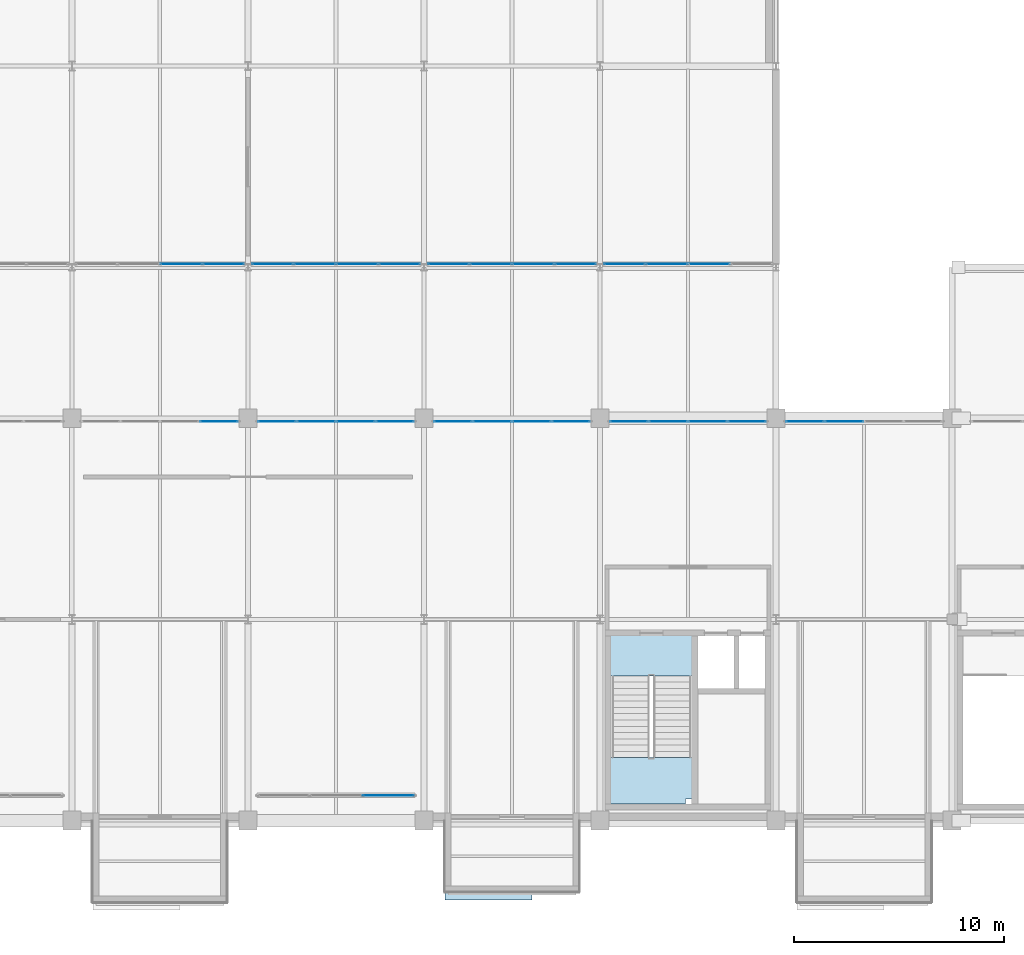
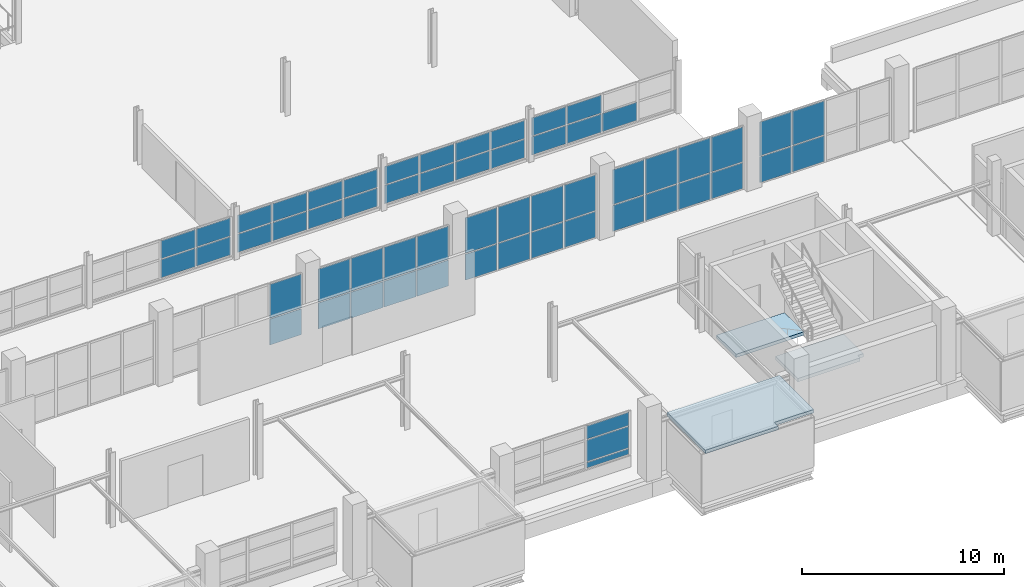
# One storey, part 86 of 103: 58 plates, 3 slabs, 11 elements without a shape of their own.
"""IFC4 building model written with IfcOpenShell, lengths in metres."""

import ifcopenshell
import ifcopenshell.guid

model = None  # the IFC model being written
_history = None  # IfcOwnerHistory: only IFC2X3 demands one
_inside = {}  # id of a spatial element -> (the spatial element, [elements in it])
_under = {}  # id of a project, library or spatial element -> (it, [spatial elements below it])
_declared = {}  # id of a project -> (the project, [libraries it declares])
_typed = {}  # id of a type object -> (the type object, [elements of that type])
_made_of = {}  # id of a material, layer set ... -> (it, [elements and type objects made of it])


def new_model(schema):
    """Start an empty IFC model of exactly this schema.

    Asked for "IFC4X3", IfcOpenShell would pick the latest addendum, in which some entities
    have other attributes; the version numbers below select the first issue.
    IFC2X3 requires an IfcOwnerHistory on every rooted entity: one is made here for all.
    """
    global model, _history
    if schema == "IFC4X3":
        model = ifcopenshell.file(schema_version=(4, 3, 0, 0))
    else:
        model = ifcopenshell.file(schema=schema)
    _inside.clear()
    _under.clear()
    _declared.clear()
    _typed.clear()
    _made_of.clear()
    _history = None
    if model.schema == "IFC2X3":
        org = make("IfcOrganization", Name="unknown")
        user = make(
            "IfcPersonAndOrganization",
            ThePerson=make("IfcPerson", FamilyName="unknown"),
            TheOrganization=org,
        )
        app = make(
            "IfcApplication",
            ApplicationDeveloper=org,
            Version="unknown",
            ApplicationFullName="unknown",
            ApplicationIdentifier="unknown",
        )
        _history = make(
            "IfcOwnerHistory",
            OwningUser=user,
            OwningApplication=app,
            ChangeAction="ADDED",
            CreationDate=0,
        )
    return model


def make(cls, **values):
    """One entity of the class cls with the attributes given. An attribute that is None is left unset."""
    return model.create_entity(
        cls, **{name: value for name, value in values.items() if value is not None}
    )


def rooted(cls, **values):
    """An entity with a GlobalId (a new one), such as an element, a storey or a relation."""
    return make(cls, GlobalId=ifcopenshell.guid.new(), OwnerHistory=_history, **values)


def si_unit(unit_type, name, prefix=None):
    """IfcSIUnit, for example si_unit("LENGTHUNIT", "METRE", prefix="MILLI")."""
    return make("IfcSIUnit", UnitType=unit_type, Prefix=prefix, Name=name)


def assignment(units):
    """IfcUnitAssignment: the units of a project."""
    return None if units is None else make("IfcUnitAssignment", Units=units)


def point(xyz):
    """IfcCartesianPoint."""
    return None if xyz is None else make("IfcCartesianPoint", Coordinates=xyz)


def direction(xyz):
    """IfcDirection."""
    return None if xyz is None else make("IfcDirection", DirectionRatios=xyz)


def frame(location, z_axis=None, x_axis=None):
    """IfcAxis2Placement3D, a coordinate frame: its origin and axes. An axis left out is left unset."""
    return make(
        "IfcAxis2Placement3D",
        Location=point(location),
        Axis=direction(z_axis),
        RefDirection=direction(x_axis),
    )


def frame_2d(location, x_axis=None):
    """IfcAxis2Placement2D, a coordinate frame in the plane: its origin and x axis."""
    return make(
        "IfcAxis2Placement2D", Location=point(location), RefDirection=direction(x_axis)
    )


def origin():
    """The frame at (0, 0, 0) with its axes left unset."""
    return frame((0.0, 0.0, 0.0))


def origin_2d():
    """The frame at (0, 0) in the plane with its x axis left unset."""
    return frame_2d((0.0, 0.0))


def place(relative_to, where):
    """IfcLocalPlacement: puts the frame where relative to a parent placement (None: the world)."""
    return make(
        "IfcLocalPlacement", PlacementRelTo=relative_to, RelativePlacement=where
    )


def context(
    kind, dimensions, precision=None, world=None, true_north=None, identifier=None
):
    """IfcGeometricRepresentationContext, for example the 3D "Model" context."""
    return make(
        "IfcGeometricRepresentationContext",
        ContextIdentifier=identifier,
        ContextType=kind,
        CoordinateSpaceDimension=dimensions,
        Precision=precision,
        WorldCoordinateSystem=world,
        TrueNorth=true_north,
    )


def subcontext(parent, identifier, kind, view, scale=None):
    """IfcGeometricRepresentationSubContext, for example "Body" below "Model"."""
    return make(
        "IfcGeometricRepresentationSubContext",
        ContextIdentifier=identifier,
        ContextType=kind,
        ParentContext=parent,
        TargetScale=scale,
        TargetView=view,
    )


def project(units=None, contexts=None):
    """IfcProject with its units and contexts."""
    return rooted(
        "IfcProject",
        Name="project",
        RepresentationContexts=contexts,
        UnitsInContext=assignment(units),
    )


def spatial(cls, under=None, at=None, **own):
    """A site, building, storey or space (cls), placed at a placement, below another one or the project."""
    s = rooted(cls, ObjectPlacement=at, **own)
    if under is not None:
        _under.setdefault(under.id(), (under, []))[1].append(s)
    return s


def polyline(points):
    """IfcPolyline through the points."""
    return make("IfcPolyline", Points=[point(p) for p in points])


def profile(cls, at=None, kind="AREA", **sizes):
    """A parametric profile (cls). Its sizes go by their IFC names, for example OverallWidth=200.0."""
    return make(cls, ProfileType=kind, Position=at, **sizes)


def rectangle(**sizes):
    """IfcRectangleProfileDef."""
    return profile("IfcRectangleProfileDef", **sizes)


def outline(outer, holes=None, kind="AREA"):
    """IfcArbitraryClosedProfileDef: a profile drawn as a closed curve; with holes, ...WithVoids."""
    if holes is None:
        return make("IfcArbitraryClosedProfileDef", ProfileType=kind, OuterCurve=outer)
    return make(
        "IfcArbitraryProfileDefWithVoids",
        ProfileType=kind,
        OuterCurve=outer,
        InnerCurves=holes,
    )


def extrude(swept, where, along, depth):
    """IfcExtrudedAreaSolid: the profile swept, set in the frame where, extruded along a direction by depth."""
    return make(
        "IfcExtrudedAreaSolid",
        SweptArea=swept,
        Position=where,
        ExtrudedDirection=direction(along),
        Depth=depth,
    )


def shape(context_of_items, identifier, shape_type, items):
    """IfcShapeRepresentation: the items that make up one representation, for example the "Body"."""
    return make(
        "IfcShapeRepresentation",
        ContextOfItems=context_of_items,
        RepresentationIdentifier=identifier,
        RepresentationType=shape_type,
        Items=items,
    )


def material(Name=None, Category=None):
    """IfcMaterial."""
    return make("IfcMaterial", Name=Name, Category=Category)


def layer(
    of_material, thickness, ventilated=None, Name=None, Category=None, Priority=None
):
    """IfcMaterialLayer: one layer of a wall or slab, of a material (None: an air gap)."""
    return make(
        "IfcMaterialLayer",
        Material=of_material,
        LayerThickness=thickness,
        IsVentilated=ventilated,
        Name=Name,
        Category=Category,
        Priority=Priority,
    )


def layer_set(layers, Name=None):
    """IfcMaterialLayerSet."""
    return make("IfcMaterialLayerSet", MaterialLayers=layers, LayerSetName=Name)


def made_of(thing, what):
    """Note that an element or type object is made of a material, layer set ...; save() writes the relation."""
    if what is not None:
        _made_of.setdefault(what.id(), (what, []))[1].append(thing)
    return thing


def type_object(cls, material=None, **own):
    """A type object (cls), such as IfcWallType, which elements share."""
    return made_of(rooted(cls, **own), material)


def element(
    cls,
    number,
    at=None,
    inside=None,
    cuts=None,
    type_object=None,
    material=None,
    context=None,
    identifier="Body",
    shape_type=None,
    held_by="IfcProductDefinitionShape",
    body=None,
    shapes=None,
    **own,
):
    """One element of the class cls, such as IfcWall. Its Tag is "e" and its number.

    at: its placement. inside: the storey or other place that contains it. cuts: it is an
    opening in that element (IfcRelVoidsElement). A single representation is given by context,
    identifier, shape_type and body (its items); several are given by shapes. held_by: the class
    of the entity that holds the representations. save() writes the other relations.
    """
    e = rooted(cls, Tag="e%d" % number, ObjectPlacement=at, **own)
    if body is not None:
        shapes = [shape(context, identifier, shape_type, body)]
    if shapes is not None:
        e.Representation = make(held_by, Representations=shapes)
    if inside is not None:
        _inside.setdefault(inside.id(), (inside, []))[1].append(e)
    if cuts is not None:
        rooted(
            "IfcRelVoidsElement", RelatingBuildingElement=cuts, RelatedOpeningElement=e
        )
    if type_object is not None:
        _typed.setdefault(type_object.id(), (type_object, []))[1].append(e)
    return made_of(e, material)


def aggregate(whole, parts):
    """IfcRelAggregates: a whole, such as a stair, and the parts it consists of."""
    return rooted("IfcRelAggregates", RelatingObject=whole, RelatedObjects=parts)


def save(model, path):
    """Write the relations noted so far, then the file.

    IfcRelAggregates (storeys below a building ...), IfcRelContainedInSpatialStructure (elements
    in a storey), IfcRelDefinesByType, IfcRelAssociatesMaterial and IfcRelDeclares: one each for
    every whole, place, type object, material and project.
    """
    for whole, parts in _under.values():
        aggregate(whole, parts)
    for where, things in _inside.values():
        rooted(
            "IfcRelContainedInSpatialStructure",
            RelatedElements=things,
            RelatingStructure=where,
        )
    for kind, things in _typed.values():
        rooted("IfcRelDefinesByType", RelatedObjects=things, RelatingType=kind)
    for what, things in _made_of.values():
        rooted("IfcRelAssociatesMaterial", RelatedObjects=things, RelatingMaterial=what)
    for by, libraries in _declared.values():
        rooted("IfcRelDeclares", RelatingContext=by, RelatedDefinitions=libraries)
    model.write(path)


model = new_model("IFC4")

# Units and contexts
model_context = context("Model", 3, precision=1e-05, world=origin(), true_north=direction((0.0, 1.0)))
body_context = subcontext(model_context, "Body", "Model", "MODEL_VIEW")
ifc_project = project(units=[si_unit("LENGTHUNIT", "METRE"), si_unit("AREAUNIT", "SQUARE_METRE"), si_unit("VOLUMEUNIT", "CUBIC_METRE"), si_unit("PLANEANGLEUNIT", "RADIAN"), si_unit("MASSUNIT", "GRAM", prefix="KILO")], contexts=[model_context])

# Site, building, storey
site_placement = place(None, origin())
site = spatial("IfcSite", under=ifc_project, at=site_placement, CompositionType="ELEMENT")
building_placement = place(site_placement, origin())
building = spatial("IfcBuilding", under=site, at=building_placement, Name="Veltarok Museum of Natural Sciences", CompositionType="ELEMENT")
storey_placement = place(building_placement, frame((0.0, 0.0, 21.89990234375)))
storey = spatial("IfcBuildingStorey", under=building, at=storey_placement, Name="L04", CompositionType="ELEMENT", Elevation=21.89990234375)

# Slabs
ifc_material_1 = material(Name="Concrete C35/45", Category="concrete")
ifc_layer_1 = layer(ifc_material_1, 0.199951171875)
ifc_layer_set_1 = layer_set([ifc_layer_1], Name="Concrete C35/45")
slab_type_1 = type_object("IfcSlabType", Name="Cantilevered Cabinet Box Roof Slab 200", PredefinedType="ROOF", material=ifc_layer_set_1)
slab_1_placement = place(storey_placement, frame((0.0, 0.0, 3.25)))
element("IfcSlab", 1, at=slab_1_placement, inside=storey, type_object=slab_type_1, Name="Cabinet Box Roof Slab DB-22", PredefinedType="ROOF", context=body_context, shape_type="SweptSolid", body=[
    extrude(outline(polyline([(83.0, -3.780029296875), (87.159912109375, -3.780029296875), (87.159912109375, -3.39990234375), (89.39990234375, -3.39990234375), (89.39990234375, 0.0), (83.0, 0.0), (83.0, -3.780029296875)])), origin(), (0.0, 0.0, 1.0), 0.2001953125),
])
ifc_layer_2 = layer(ifc_material_1, 0.199951171875)
ifc_layer_set_2 = layer_set([ifc_layer_2], Name="Concrete C35/45")
slab_type_2 = type_object("IfcSlabType", Name="Protected Stair Intermediate Landing Slab 200", PredefinedType="LANDING", material=ifc_layer_set_2)
slab_2_placement = place(storey_placement, frame((0.0, 0.0, -0.199951171875)))
element("IfcSlab", 2, at=slab_2_placement, inside=storey, type_object=slab_type_2, Name="Stairwell Floor Landing ST-02 L04", PredefinedType="LANDING", context=body_context, shape_type="SweptSolid", body=[
    extrude(outline(polyline([(90.909912109375, 6.89990234375), (94.7900390625, 6.89990234375), (94.7900390625, 8.820068359375), (90.909912109375, 8.820068359375), (90.909912109375, 6.89990234375)])), origin(), (0.0, 0.0, 1.0), 0.199951171875),
])

# Stair, slab
ifc_material_2 = material(Name="Precast concrete C40/50", Category="concrete")
stair_type = type_object("IfcStairType", Name="Protected Half-Turn Escape Stair H4500", PredefinedType="HALF_TURN_STAIR", material=ifc_material_2)
stair_placement = place(storey_placement, origin())
stair = element("IfcStair", 3, at=stair_placement, inside=storey, type_object=stair_type, Name="Protected Escape Stair ST-02-L04", PredefinedType="HALF_TURN_STAIR")
slab_3_placement = place(storey_placement, frame((0.0, 0.0, 2.050048828125)))
slab_3 = element("IfcSlab", 4, at=slab_3_placement, type_object=slab_type_2, Name="ST-02-L04 landing 1", PredefinedType="LANDING", context=body_context, shape_type="SweptSolid", body=[
    extrude(outline(polyline([(90.909912109375, 0.780029296875), (94.469970703125, 0.780029296875), (94.469970703125, 1.02001953125), (94.7900390625, 1.02001953125), (94.7900390625, 3.0), (90.909912109375, 3.0), (90.909912109375, 0.780029296875)])), origin(), (0.0, 0.0, 1.0), 0.199951171875),
])
aggregate(stair, [slab_3])

# Curtain wall, plates
ifc_material_3 = material(Name="Low-iron triple insulated glass", Category="glass")
curtain_wall_type_1 = type_object("IfcCurtainWallType", Name="Curtain Wall System CW-CAB-L04-B-755x266 (V1 Recessed L04 755x266cm)", PredefinedType="NOTDEFINED", material=ifc_material_3)
curtain_wall_1_placement = place(storey_placement, origin())
curtain_wall_1 = element("IfcCurtainWall", 5, at=curtain_wall_1_placement, inside=storey, type_object=curtain_wall_type_1, Name="Curtain Wall CW-CAB-L04-B-755x266 CW-0008", PredefinedType="NOTDEFINED")
ifc_layer_3 = layer(ifc_material_3, 0.028076171875)
ifc_layer_set_3 = layer_set([ifc_layer_3], Name="Low-iron triple insulated glass")
plate_type = type_object("IfcPlateType", Name="Triple Low-Iron Glazed Vision Panel 28", PredefinedType="CURTAIN_PANEL", material=ifc_layer_set_3)
plate_1_placement = place(storey_placement, frame((80.3017578125, 1.199951171875, 0.739990234375), z_axis=(0.0, 0.0, 1.0), x_axis=(1.0, 0.0, 0.0)))
plate_1 = element("IfcPlate", 6, at=plate_1_placement, type_object=plate_type, Name="CW-CAB-L04-B-755x266 panel 3.1", PredefinedType="CURTAIN_PANEL", context=body_context, shape_type="SweptSolid", body=[
    extrude(rectangle(XDim=2.4267578125, YDim=0.028076171875, at=origin_2d()), origin(), (0.0, 0.0, 1.0), 0.330078125),
])
plate_2_placement = place(storey_placement, frame((80.3017578125, 1.199951171875, 1.130126953125), z_axis=(0.0, 0.0, 1.0), x_axis=(1.0, 0.0, 0.0)))
plate_2 = element("IfcPlate", 7, at=plate_2_placement, type_object=plate_type, Name="CW-CAB-L04-B-755x266 panel 3.2", PredefinedType="CURTAIN_PANEL", context=body_context, shape_type="SweptSolid", body=[
    extrude(rectangle(XDim=2.4267578125, YDim=0.028076171875, at=origin_2d()), origin(), (0.0, 0.0, 1.0), 1.2900390625),
])
plate_3_placement = place(storey_placement, frame((80.3017578125, 1.199951171875, 2.480224609375), z_axis=(0.0, 0.0, 1.0), x_axis=(1.0, 0.0, 0.0)))
plate_3 = element("IfcPlate", 8, at=plate_3_placement, type_object=plate_type, Name="CW-CAB-L04-B-755x266 panel 3.3", PredefinedType="CURTAIN_PANEL", context=body_context, shape_type="SweptSolid", body=[
    extrude(rectangle(XDim=2.4267578125, YDim=0.028076171875, at=origin_2d()), origin(), (0.0, 0.0, 1.0), 0.794921875),
])
aggregate(curtain_wall_1, [plate_1, plate_2, plate_3])

curtain_wall_type_2 = type_object("IfcCurtainWallType", Name="Curtain Wall System CW-V1CN4-L04-2-755x378 (CW-V1CN4 L04 755x378cm)", PredefinedType="NOTDEFINED", material=ifc_material_3)
curtain_wall_2_placement = place(storey_placement, origin())
curtain_wall_2 = element("IfcCurtainWall", 9, at=curtain_wall_2_placement, inside=storey, type_object=curtain_wall_type_2, Name="Curtain Wall CW-V1CN4-L04-2-755x378 CW-0166", PredefinedType="NOTDEFINED")
plate_4_placement = place(storey_placement, frame((72.21630859375, 19.050048828125, 0.05810546875), z_axis=(0.0, 0.0, 1.0), x_axis=(-1.0, 0.0, 0.0)))
plate_4 = element("IfcPlate", 10, at=plate_4_placement, type_object=plate_type, Name="CW-V1CN4-L04-2-755x378 panel 1.1", PredefinedType="CURTAIN_PANEL", context=body_context, shape_type="SweptSolid", body=[
    extrude(rectangle(XDim=1.797607421875, YDim=0.028076171875, at=origin_2d()), origin(), (0.0, 0.0, 1.0), 1.56005859375),
])
plate_5_placement = place(storey_placement, frame((72.21630859375, 19.050048828125, 1.67822265625), z_axis=(0.0, 0.0, 1.0), x_axis=(-1.0, 0.0, 0.0)))
plate_5 = element("IfcPlate", 11, at=plate_5_placement, type_object=plate_type, Name="CW-V1CN4-L04-2-755x378 panel 1.2", PredefinedType="CURTAIN_PANEL", context=body_context, shape_type="SweptSolid", body=[
    extrude(rectangle(XDim=1.797607421875, YDim=0.028076171875, at=origin_2d()), origin(), (0.0, 0.0, 1.0), 2.0419921875),
])
aggregate(curtain_wall_2, [plate_4, plate_5])

curtain_wall_type_3 = type_object("IfcCurtainWallType", Name="Curtain Wall System CW-V1CN4-L04-3-755x373 (CW-V1CN4 L04 755x373cm)", PredefinedType="NOTDEFINED", material=ifc_material_3)
curtain_wall_3_placement = place(storey_placement, origin())
curtain_wall_3 = element("IfcCurtainWall", 12, at=curtain_wall_3_placement, inside=storey, type_object=curtain_wall_type_3, Name="Curtain Wall CW-V1CN4-L04-3-755x373 CW-0167", PredefinedType="NOTDEFINED")
plate_6_placement = place(storey_placement, frame((80.6162109375, 19.050048828125, 0.05810546875), z_axis=(0.0, 0.0, 1.0), x_axis=(-1.0, 0.0, 0.0)))
plate_6 = element("IfcPlate", 13, at=plate_6_placement, type_object=plate_type, Name="CW-V1CN4-L04-3-755x373 panel 1.1", PredefinedType="CURTAIN_PANEL", context=body_context, shape_type="SweptSolid", body=[
    extrude(rectangle(XDim=1.797607421875, YDim=0.028076171875, at=origin_2d()), origin(), (0.0, 0.0, 1.0), 1.56005859375),
])
plate_7_placement = place(storey_placement, frame((80.6162109375, 19.050048828125, 1.67822265625), z_axis=(0.0, 0.0, 1.0), x_axis=(-1.0, 0.0, 0.0)))
plate_7 = element("IfcPlate", 14, at=plate_7_placement, type_object=plate_type, Name="CW-V1CN4-L04-3-755x373 panel 1.2", PredefinedType="CURTAIN_PANEL", context=body_context, shape_type="SweptSolid", body=[
    extrude(rectangle(XDim=1.797607421875, YDim=0.028076171875, at=origin_2d()), origin(), (0.0, 0.0, 1.0), 1.991943359375),
])
plate_8_placement = place(storey_placement, frame((78.74365234375, 19.050048828125, 0.05810546875), z_axis=(0.0, 0.0, 1.0), x_axis=(-1.0, 0.0, 0.0)))
plate_8 = element("IfcPlate", 15, at=plate_8_placement, type_object=plate_type, Name="CW-V1CN4-L04-3-755x373 panel 2.1", PredefinedType="CURTAIN_PANEL", context=body_context, shape_type="SweptSolid", body=[
    extrude(rectangle(XDim=1.827392578125, YDim=0.028076171875, at=origin_2d()), origin(), (0.0, 0.0, 1.0), 1.56005859375),
])
plate_9_placement = place(storey_placement, frame((78.74365234375, 19.050048828125, 1.67822265625), z_axis=(0.0, 0.0, 1.0), x_axis=(-1.0, 0.0, 0.0)))
plate_9 = element("IfcPlate", 16, at=plate_9_placement, type_object=plate_type, Name="CW-V1CN4-L04-3-755x373 panel 2.2", PredefinedType="CURTAIN_PANEL", context=body_context, shape_type="SweptSolid", body=[
    extrude(rectangle(XDim=1.827392578125, YDim=0.028076171875, at=origin_2d()), origin(), (0.0, 0.0, 1.0), 1.991943359375),
])
plate_10_placement = place(storey_placement, frame((76.856201171875, 19.050048828125, 0.05810546875), z_axis=(0.0, 0.0, 1.0), x_axis=(-1.0, 0.0, 0.0)))
plate_10 = element("IfcPlate", 17, at=plate_10_placement, type_object=plate_type, Name="CW-V1CN4-L04-3-755x373 panel 3.1", PredefinedType="CURTAIN_PANEL", context=body_context, shape_type="SweptSolid", body=[
    extrude(rectangle(XDim=1.827392578125, YDim=0.028076171875, at=origin_2d()), origin(), (0.0, 0.0, 1.0), 1.56005859375),
])
plate_11_placement = place(storey_placement, frame((76.856201171875, 19.050048828125, 1.67822265625), z_axis=(0.0, 0.0, 1.0), x_axis=(-1.0, 0.0, 0.0)))
plate_11 = element("IfcPlate", 18, at=plate_11_placement, type_object=plate_type, Name="CW-V1CN4-L04-3-755x373 panel 3.2", PredefinedType="CURTAIN_PANEL", context=body_context, shape_type="SweptSolid", body=[
    extrude(rectangle(XDim=1.827392578125, YDim=0.028076171875, at=origin_2d()), origin(), (0.0, 0.0, 1.0), 1.991943359375),
])
plate_12_placement = place(storey_placement, frame((74.983642578125, 19.050048828125, 0.05810546875), z_axis=(0.0, 0.0, 1.0), x_axis=(-1.0, 0.0, 0.0)))
plate_12 = element("IfcPlate", 19, at=plate_12_placement, type_object=plate_type, Name="CW-V1CN4-L04-3-755x373 panel 4.1", PredefinedType="CURTAIN_PANEL", context=body_context, shape_type="SweptSolid", body=[
    extrude(rectangle(XDim=1.797607421875, YDim=0.028076171875, at=origin_2d()), origin(), (0.0, 0.0, 1.0), 1.56005859375),
])
plate_13_placement = place(storey_placement, frame((74.983642578125, 19.050048828125, 1.67822265625), z_axis=(0.0, 0.0, 1.0), x_axis=(-1.0, 0.0, 0.0)))
plate_13 = element("IfcPlate", 20, at=plate_13_placement, type_object=plate_type, Name="CW-V1CN4-L04-3-755x373 panel 4.2", PredefinedType="CURTAIN_PANEL", context=body_context, shape_type="SweptSolid", body=[
    extrude(rectangle(XDim=1.797607421875, YDim=0.028076171875, at=origin_2d()), origin(), (0.0, 0.0, 1.0), 1.991943359375),
])
aggregate(curtain_wall_3, [plate_6, plate_7, plate_8, plate_9, plate_10, plate_11, plate_12, plate_13])

curtain_wall_type_4 = type_object("IfcCurtainWallType", Name="Curtain Wall System CW-V1CN4-L04-0-755x388 (CW-V1CN4 L04 755x388cm)", PredefinedType="NOTDEFINED", material=ifc_material_3)
curtain_wall_4_placement = place(storey_placement, origin())
curtain_wall_4 = element("IfcCurtainWall", 21, at=curtain_wall_4_placement, inside=storey, type_object=curtain_wall_type_4, Name="Curtain Wall CW-V1CN4-L04-0-755x388 CW-0168", PredefinedType="NOTDEFINED")
plate_14_placement = place(storey_placement, frame((89.016357421875, 19.050048828125, 0.05810546875), z_axis=(0.0, 0.0, 1.0), x_axis=(-1.0, 0.0, 0.0)))
plate_14 = element("IfcPlate", 22, at=plate_14_placement, type_object=plate_type, Name="CW-V1CN4-L04-0-755x388 panel 1.1", PredefinedType="CURTAIN_PANEL", context=body_context, shape_type="SweptSolid", body=[
    extrude(rectangle(XDim=1.797607421875, YDim=0.028076171875, at=origin_2d()), origin(), (0.0, 0.0, 1.0), 1.56005859375),
])
plate_15_placement = place(storey_placement, frame((89.016357421875, 19.050048828125, 1.677978515625), z_axis=(0.0, 0.0, 1.0), x_axis=(-1.0, 0.0, 0.0)))
plate_15 = element("IfcPlate", 23, at=plate_15_placement, type_object=plate_type, Name="CW-V1CN4-L04-0-755x388 panel 1.2", PredefinedType="CURTAIN_PANEL", context=body_context, shape_type="SweptSolid", body=[
    extrude(rectangle(XDim=1.797607421875, YDim=0.028076171875, at=origin_2d()), origin(), (0.0, 0.0, 1.0), 2.14208984375),
])
plate_16_placement = place(storey_placement, frame((87.143798828125, 19.050048828125, 0.05810546875), z_axis=(0.0, 0.0, 1.0), x_axis=(-1.0, 0.0, 0.0)))
plate_16 = element("IfcPlate", 24, at=plate_16_placement, type_object=plate_type, Name="CW-V1CN4-L04-0-755x388 panel 2.1", PredefinedType="CURTAIN_PANEL", context=body_context, shape_type="SweptSolid", body=[
    extrude(rectangle(XDim=1.827392578125, YDim=0.028076171875, at=origin_2d()), origin(), (0.0, 0.0, 1.0), 1.56005859375),
])
plate_17_placement = place(storey_placement, frame((87.143798828125, 19.050048828125, 1.677978515625), z_axis=(0.0, 0.0, 1.0), x_axis=(-1.0, 0.0, 0.0)))
plate_17 = element("IfcPlate", 25, at=plate_17_placement, type_object=plate_type, Name="CW-V1CN4-L04-0-755x388 panel 2.2", PredefinedType="CURTAIN_PANEL", context=body_context, shape_type="SweptSolid", body=[
    extrude(rectangle(XDim=1.827392578125, YDim=0.028076171875, at=origin_2d()), origin(), (0.0, 0.0, 1.0), 2.14208984375),
])
plate_18_placement = place(storey_placement, frame((85.25634765625, 19.050048828125, 0.05810546875), z_axis=(0.0, 0.0, 1.0), x_axis=(-1.0, 0.0, 0.0)))
plate_18 = element("IfcPlate", 26, at=plate_18_placement, type_object=plate_type, Name="CW-V1CN4-L04-0-755x388 panel 3.1", PredefinedType="CURTAIN_PANEL", context=body_context, shape_type="SweptSolid", body=[
    extrude(rectangle(XDim=1.827392578125, YDim=0.028076171875, at=origin_2d()), origin(), (0.0, 0.0, 1.0), 1.56005859375),
])
plate_19_placement = place(storey_placement, frame((85.25634765625, 19.050048828125, 1.677978515625), z_axis=(0.0, 0.0, 1.0), x_axis=(-1.0, 0.0, 0.0)))
plate_19 = element("IfcPlate", 27, at=plate_19_placement, type_object=plate_type, Name="CW-V1CN4-L04-0-755x388 panel 3.2", PredefinedType="CURTAIN_PANEL", context=body_context, shape_type="SweptSolid", body=[
    extrude(rectangle(XDim=1.827392578125, YDim=0.028076171875, at=origin_2d()), origin(), (0.0, 0.0, 1.0), 2.14208984375),
])
plate_20_placement = place(storey_placement, frame((83.3837890625, 19.050048828125, 0.05810546875), z_axis=(0.0, 0.0, 1.0), x_axis=(-1.0, 0.0, 0.0)))
plate_20 = element("IfcPlate", 28, at=plate_20_placement, type_object=plate_type, Name="CW-V1CN4-L04-0-755x388 panel 4.1", PredefinedType="CURTAIN_PANEL", context=body_context, shape_type="SweptSolid", body=[
    extrude(rectangle(XDim=1.797607421875, YDim=0.028076171875, at=origin_2d()), origin(), (0.0, 0.0, 1.0), 1.56005859375),
])
plate_21_placement = place(storey_placement, frame((83.3837890625, 19.050048828125, 1.677978515625), z_axis=(0.0, 0.0, 1.0), x_axis=(-1.0, 0.0, 0.0)))
plate_21 = element("IfcPlate", 29, at=plate_21_placement, type_object=plate_type, Name="CW-V1CN4-L04-0-755x388 panel 4.2", PredefinedType="CURTAIN_PANEL", context=body_context, shape_type="SweptSolid", body=[
    extrude(rectangle(XDim=1.797607421875, YDim=0.028076171875, at=origin_2d()), origin(), (0.0, 0.0, 1.0), 2.14208984375),
])
aggregate(curtain_wall_4, [plate_14, plate_15, plate_16, plate_17, plate_18, plate_19, plate_20, plate_21])

curtain_wall_type_5 = type_object("IfcCurtainWallType", Name="Curtain Wall System CW-V1CN4-L04-1-755x383 (CW-V1CN4 L04 755x383cm)", PredefinedType="NOTDEFINED", material=ifc_material_3)
curtain_wall_5_placement = place(storey_placement, origin())
curtain_wall_5 = element("IfcCurtainWall", 30, at=curtain_wall_5_placement, inside=storey, type_object=curtain_wall_type_5, Name="Curtain Wall CW-V1CN4-L04-1-755x383 CW-0169", PredefinedType="NOTDEFINED")
plate_22_placement = place(storey_placement, frame((97.416259765625, 19.050048828125, 0.05810546875), z_axis=(0.0, 0.0, 1.0), x_axis=(-1.0, 0.0, 0.0)))
plate_22 = element("IfcPlate", 31, at=plate_22_placement, type_object=plate_type, Name="CW-V1CN4-L04-1-755x383 panel 1.1", PredefinedType="CURTAIN_PANEL", context=body_context, shape_type="SweptSolid", body=[
    extrude(rectangle(XDim=1.797607421875, YDim=0.028076171875, at=origin_2d()), origin(), (0.0, 0.0, 1.0), 1.56005859375),
])
plate_23_placement = place(storey_placement, frame((97.416259765625, 19.050048828125, 1.67822265625), z_axis=(0.0, 0.0, 1.0), x_axis=(-1.0, 0.0, 0.0)))
plate_23 = element("IfcPlate", 32, at=plate_23_placement, type_object=plate_type, Name="CW-V1CN4-L04-1-755x383 panel 1.2", PredefinedType="CURTAIN_PANEL", context=body_context, shape_type="SweptSolid", body=[
    extrude(rectangle(XDim=1.797607421875, YDim=0.028076171875, at=origin_2d()), origin(), (0.0, 0.0, 1.0), 2.092041015625),
])
plate_24_placement = place(storey_placement, frame((95.543701171875, 19.050048828125, 0.05810546875), z_axis=(0.0, 0.0, 1.0), x_axis=(-1.0, 0.0, 0.0)))
plate_24 = element("IfcPlate", 33, at=plate_24_placement, type_object=plate_type, Name="CW-V1CN4-L04-1-755x383 panel 2.1", PredefinedType="CURTAIN_PANEL", context=body_context, shape_type="SweptSolid", body=[
    extrude(rectangle(XDim=1.827392578125, YDim=0.028076171875, at=origin_2d()), origin(), (0.0, 0.0, 1.0), 1.56005859375),
])
plate_25_placement = place(storey_placement, frame((95.543701171875, 19.050048828125, 1.67822265625), z_axis=(0.0, 0.0, 1.0), x_axis=(-1.0, 0.0, 0.0)))
plate_25 = element("IfcPlate", 34, at=plate_25_placement, type_object=plate_type, Name="CW-V1CN4-L04-1-755x383 panel 2.2", PredefinedType="CURTAIN_PANEL", context=body_context, shape_type="SweptSolid", body=[
    extrude(rectangle(XDim=1.827392578125, YDim=0.028076171875, at=origin_2d()), origin(), (0.0, 0.0, 1.0), 2.092041015625),
])
plate_26_placement = place(storey_placement, frame((93.65625, 19.050048828125, 0.05810546875), z_axis=(0.0, 0.0, 1.0), x_axis=(-1.0, 0.0, 0.0)))
plate_26 = element("IfcPlate", 35, at=plate_26_placement, type_object=plate_type, Name="CW-V1CN4-L04-1-755x383 panel 3.1", PredefinedType="CURTAIN_PANEL", context=body_context, shape_type="SweptSolid", body=[
    extrude(rectangle(XDim=1.827392578125, YDim=0.028076171875, at=origin_2d()), origin(), (0.0, 0.0, 1.0), 1.56005859375),
])
plate_27_placement = place(storey_placement, frame((93.65625, 19.050048828125, 1.67822265625), z_axis=(0.0, 0.0, 1.0), x_axis=(-1.0, 0.0, 0.0)))
plate_27 = element("IfcPlate", 36, at=plate_27_placement, type_object=plate_type, Name="CW-V1CN4-L04-1-755x383 panel 3.2", PredefinedType="CURTAIN_PANEL", context=body_context, shape_type="SweptSolid", body=[
    extrude(rectangle(XDim=1.827392578125, YDim=0.028076171875, at=origin_2d()), origin(), (0.0, 0.0, 1.0), 2.092041015625),
])
plate_28_placement = place(storey_placement, frame((91.78369140625, 19.050048828125, 0.05810546875), z_axis=(0.0, 0.0, 1.0), x_axis=(-1.0, 0.0, 0.0)))
plate_28 = element("IfcPlate", 37, at=plate_28_placement, type_object=plate_type, Name="CW-V1CN4-L04-1-755x383 panel 4.1", PredefinedType="CURTAIN_PANEL", context=body_context, shape_type="SweptSolid", body=[
    extrude(rectangle(XDim=1.797607421875, YDim=0.028076171875, at=origin_2d()), origin(), (0.0, 0.0, 1.0), 1.56005859375),
])
plate_29_placement = place(storey_placement, frame((91.78369140625, 19.050048828125, 1.67822265625), z_axis=(0.0, 0.0, 1.0), x_axis=(-1.0, 0.0, 0.0)))
plate_29 = element("IfcPlate", 38, at=plate_29_placement, type_object=plate_type, Name="CW-V1CN4-L04-1-755x383 panel 4.2", PredefinedType="CURTAIN_PANEL", context=body_context, shape_type="SweptSolid", body=[
    extrude(rectangle(XDim=1.797607421875, YDim=0.028076171875, at=origin_2d()), origin(), (0.0, 0.0, 1.0), 2.092041015625),
])
aggregate(curtain_wall_5, [plate_22, plate_23, plate_24, plate_25, plate_26, plate_27, plate_28, plate_29])

curtain_wall_6_placement = place(storey_placement, origin())
curtain_wall_6 = element("IfcCurtainWall", 39, at=curtain_wall_6_placement, inside=storey, type_object=curtain_wall_type_2, Name="Curtain Wall CW-V1CN4-L04-2-755x378 CW-0170", PredefinedType="NOTDEFINED")
plate_30_placement = place(storey_placement, frame((102.05615234375, 19.050048828125, 0.05810546875), z_axis=(0.0, 0.0, 1.0), x_axis=(-1.0, 0.0, 0.0)))
plate_30 = element("IfcPlate", 40, at=plate_30_placement, type_object=plate_type, Name="CW-V1CN4-L04-2-755x378 panel 3.1", PredefinedType="CURTAIN_PANEL", context=body_context, shape_type="SweptSolid", body=[
    extrude(rectangle(XDim=1.827392578125, YDim=0.028076171875, at=origin_2d()), origin(), (0.0, 0.0, 1.0), 1.56005859375),
])
plate_31_placement = place(storey_placement, frame((102.05615234375, 19.050048828125, 1.67822265625), z_axis=(0.0, 0.0, 1.0), x_axis=(-1.0, 0.0, 0.0)))
plate_31 = element("IfcPlate", 41, at=plate_31_placement, type_object=plate_type, Name="CW-V1CN4-L04-2-755x378 panel 3.2", PredefinedType="CURTAIN_PANEL", context=body_context, shape_type="SweptSolid", body=[
    extrude(rectangle(XDim=1.827392578125, YDim=0.028076171875, at=origin_2d()), origin(), (0.0, 0.0, 1.0), 2.0419921875),
])
plate_32_placement = place(storey_placement, frame((100.183837890625, 19.050048828125, 0.05810546875), z_axis=(0.0, 0.0, 1.0), x_axis=(-1.0, 0.0, 0.0)))
plate_32 = element("IfcPlate", 42, at=plate_32_placement, type_object=plate_type, Name="CW-V1CN4-L04-2-755x378 panel 4.1", PredefinedType="CURTAIN_PANEL", context=body_context, shape_type="SweptSolid", body=[
    extrude(rectangle(XDim=1.797607421875, YDim=0.028076171875, at=origin_2d()), origin(), (0.0, 0.0, 1.0), 1.56005859375),
])
plate_33_placement = place(storey_placement, frame((100.183837890625, 19.050048828125, 1.67822265625), z_axis=(0.0, 0.0, 1.0), x_axis=(-1.0, 0.0, 0.0)))
plate_33 = element("IfcPlate", 43, at=plate_33_placement, type_object=plate_type, Name="CW-V1CN4-L04-2-755x378 panel 4.2", PredefinedType="CURTAIN_PANEL", context=body_context, shape_type="SweptSolid", body=[
    extrude(rectangle(XDim=1.797607421875, YDim=0.028076171875, at=origin_2d()), origin(), (0.0, 0.0, 1.0), 2.0419921875),
])
aggregate(curtain_wall_6, [plate_30, plate_31, plate_32, plate_33])

curtain_wall_type_6 = type_object("IfcCurtainWallType", Name="Curtain Wall System CW-V2S-L04-810x236 (V2 South Setback L04 810x236cm)", PredefinedType="NOTDEFINED", material=ifc_material_3)
curtain_wall_7_placement = place(storey_placement, origin())
curtain_wall_7 = element("IfcCurtainWall", 44, at=curtain_wall_7_placement, inside=storey, type_object=curtain_wall_type_6, Name="Curtain Wall CW-V2S-L04-810x236 CW-0226", PredefinedType="NOTDEFINED")
plate_34_placement = place(storey_placement, frame((70.41259765625, 26.550048828125, 0.219970703125), z_axis=(0.0, 0.0, 1.0), x_axis=(1.0, 0.0, 0.0)))
plate_34 = element("IfcPlate", 45, at=plate_34_placement, type_object=plate_type, Name="CW-V2S-L04-810x236 panel 3.1", PredefinedType="CURTAIN_PANEL", context=body_context, shape_type="SweptSolid", body=[
    extrude(rectangle(XDim=1.965087890625, YDim=0.028076171875, at=origin_2d()), origin(), (0.0, 0.0, 1.0), 1.10009765625),
])
plate_35_placement = place(storey_placement, frame((70.41259765625, 26.550048828125, 1.380126953125), z_axis=(0.0, 0.0, 1.0), x_axis=(1.0, 0.0, 0.0)))
plate_35 = element("IfcPlate", 46, at=plate_35_placement, type_object=plate_type, Name="CW-V2S-L04-810x236 panel 3.2", PredefinedType="CURTAIN_PANEL", context=body_context, shape_type="SweptSolid", body=[
    extrude(rectangle(XDim=1.965087890625, YDim=0.028076171875, at=origin_2d()), origin(), (0.0, 0.0, 1.0), 1.080078125),
])
plate_36_placement = place(storey_placement, frame((72.422607421875, 26.550048828125, 0.219970703125), z_axis=(0.0, 0.0, 1.0), x_axis=(1.0, 0.0, 0.0)))
plate_36 = element("IfcPlate", 47, at=plate_36_placement, type_object=plate_type, Name="CW-V2S-L04-810x236 panel 4.1", PredefinedType="CURTAIN_PANEL", context=body_context, shape_type="SweptSolid", body=[
    extrude(rectangle(XDim=1.93505859375, YDim=0.028076171875, at=origin_2d()), origin(), (0.0, 0.0, 1.0), 1.10009765625),
])
plate_37_placement = place(storey_placement, frame((72.422607421875, 26.550048828125, 1.380126953125), z_axis=(0.0, 0.0, 1.0), x_axis=(1.0, 0.0, 0.0)))
plate_37 = element("IfcPlate", 48, at=plate_37_placement, type_object=plate_type, Name="CW-V2S-L04-810x236 panel 4.2", PredefinedType="CURTAIN_PANEL", context=body_context, shape_type="SweptSolid", body=[
    extrude(rectangle(XDim=1.93505859375, YDim=0.028076171875, at=origin_2d()), origin(), (0.0, 0.0, 1.0), 1.080078125),
])
aggregate(curtain_wall_7, [plate_34, plate_35, plate_36, plate_37])

curtain_wall_8_placement = place(storey_placement, origin())
curtain_wall_8 = element("IfcCurtainWall", 49, at=curtain_wall_8_placement, inside=storey, type_object=curtain_wall_type_6, Name="Curtain Wall CW-V2S-L04-810x236 CW-0227", PredefinedType="NOTDEFINED")
plate_38_placement = place(storey_placement, frame((74.777587890625, 26.550048828125, 0.219970703125), z_axis=(0.0, 0.0, 1.0), x_axis=(1.0, 0.0, 0.0)))
plate_38 = element("IfcPlate", 50, at=plate_38_placement, type_object=plate_type, Name="CW-V2S-L04-810x236 panel 1.1", PredefinedType="CURTAIN_PANEL", context=body_context, shape_type="SweptSolid", body=[
    extrude(rectangle(XDim=1.93505859375, YDim=0.028076171875, at=origin_2d()), origin(), (0.0, 0.0, 1.0), 1.10009765625),
])
plate_39_placement = place(storey_placement, frame((74.777587890625, 26.550048828125, 1.380126953125), z_axis=(0.0, 0.0, 1.0), x_axis=(1.0, 0.0, 0.0)))
plate_39 = element("IfcPlate", 51, at=plate_39_placement, type_object=plate_type, Name="CW-V2S-L04-810x236 panel 1.2", PredefinedType="CURTAIN_PANEL", context=body_context, shape_type="SweptSolid", body=[
    extrude(rectangle(XDim=1.93505859375, YDim=0.028076171875, at=origin_2d()), origin(), (0.0, 0.0, 1.0), 1.080078125),
])
plate_40_placement = place(storey_placement, frame((76.78759765625, 26.550048828125, 0.219970703125), z_axis=(0.0, 0.0, 1.0), x_axis=(1.0, 0.0, 0.0)))
plate_40 = element("IfcPlate", 52, at=plate_40_placement, type_object=plate_type, Name="CW-V2S-L04-810x236 panel 2.1", PredefinedType="CURTAIN_PANEL", context=body_context, shape_type="SweptSolid", body=[
    extrude(rectangle(XDim=1.965087890625, YDim=0.028076171875, at=origin_2d()), origin(), (0.0, 0.0, 1.0), 1.10009765625),
])
plate_41_placement = place(storey_placement, frame((76.78759765625, 26.550048828125, 1.380126953125), z_axis=(0.0, 0.0, 1.0), x_axis=(1.0, 0.0, 0.0)))
plate_41 = element("IfcPlate", 53, at=plate_41_placement, type_object=plate_type, Name="CW-V2S-L04-810x236 panel 2.2", PredefinedType="CURTAIN_PANEL", context=body_context, shape_type="SweptSolid", body=[
    extrude(rectangle(XDim=1.965087890625, YDim=0.028076171875, at=origin_2d()), origin(), (0.0, 0.0, 1.0), 1.080078125),
])
plate_42_placement = place(storey_placement, frame((78.8125, 26.550048828125, 0.219970703125), z_axis=(0.0, 0.0, 1.0), x_axis=(1.0, 0.0, 0.0)))
plate_42 = element("IfcPlate", 54, at=plate_42_placement, type_object=plate_type, Name="CW-V2S-L04-810x236 panel 3.1", PredefinedType="CURTAIN_PANEL", context=body_context, shape_type="SweptSolid", body=[
    extrude(rectangle(XDim=1.965087890625, YDim=0.028076171875, at=origin_2d()), origin(), (0.0, 0.0, 1.0), 1.10009765625),
])
plate_43_placement = place(storey_placement, frame((78.8125, 26.550048828125, 1.380126953125), z_axis=(0.0, 0.0, 1.0), x_axis=(1.0, 0.0, 0.0)))
plate_43 = element("IfcPlate", 55, at=plate_43_placement, type_object=plate_type, Name="CW-V2S-L04-810x236 panel 3.2", PredefinedType="CURTAIN_PANEL", context=body_context, shape_type="SweptSolid", body=[
    extrude(rectangle(XDim=1.965087890625, YDim=0.028076171875, at=origin_2d()), origin(), (0.0, 0.0, 1.0), 1.080078125),
])
plate_44_placement = place(storey_placement, frame((80.822509765625, 26.550048828125, 0.219970703125), z_axis=(0.0, 0.0, 1.0), x_axis=(1.0, 0.0, 0.0)))
plate_44 = element("IfcPlate", 56, at=plate_44_placement, type_object=plate_type, Name="CW-V2S-L04-810x236 panel 4.1", PredefinedType="CURTAIN_PANEL", context=body_context, shape_type="SweptSolid", body=[
    extrude(rectangle(XDim=1.93505859375, YDim=0.028076171875, at=origin_2d()), origin(), (0.0, 0.0, 1.0), 1.10009765625),
])
plate_45_placement = place(storey_placement, frame((80.822509765625, 26.550048828125, 1.380126953125), z_axis=(0.0, 0.0, 1.0), x_axis=(1.0, 0.0, 0.0)))
plate_45 = element("IfcPlate", 57, at=plate_45_placement, type_object=plate_type, Name="CW-V2S-L04-810x236 panel 4.2", PredefinedType="CURTAIN_PANEL", context=body_context, shape_type="SweptSolid", body=[
    extrude(rectangle(XDim=1.93505859375, YDim=0.028076171875, at=origin_2d()), origin(), (0.0, 0.0, 1.0), 1.080078125),
])
aggregate(curtain_wall_8, [plate_38, plate_39, plate_40, plate_41, plate_42, plate_43, plate_44, plate_45])

curtain_wall_9_placement = place(storey_placement, origin())
curtain_wall_9 = element("IfcCurtainWall", 58, at=curtain_wall_9_placement, inside=storey, type_object=curtain_wall_type_6, Name="Curtain Wall CW-V2S-L04-810x236 CW-0228", PredefinedType="NOTDEFINED")
plate_46_placement = place(storey_placement, frame((83.177490234375, 26.550048828125, 0.219970703125), z_axis=(0.0, 0.0, 1.0), x_axis=(1.0, 0.0, 0.0)))
plate_46 = element("IfcPlate", 59, at=plate_46_placement, type_object=plate_type, Name="CW-V2S-L04-810x236 panel 1.1", PredefinedType="CURTAIN_PANEL", context=body_context, shape_type="SweptSolid", body=[
    extrude(rectangle(XDim=1.93505859375, YDim=0.028076171875, at=origin_2d()), origin(), (0.0, 0.0, 1.0), 1.10009765625),
])
plate_47_placement = place(storey_placement, frame((83.177490234375, 26.550048828125, 1.380126953125), z_axis=(0.0, 0.0, 1.0), x_axis=(1.0, 0.0, 0.0)))
plate_47 = element("IfcPlate", 60, at=plate_47_placement, type_object=plate_type, Name="CW-V2S-L04-810x236 panel 1.2", PredefinedType="CURTAIN_PANEL", context=body_context, shape_type="SweptSolid", body=[
    extrude(rectangle(XDim=1.93505859375, YDim=0.028076171875, at=origin_2d()), origin(), (0.0, 0.0, 1.0), 1.080078125),
])
plate_48_placement = place(storey_placement, frame((85.1875, 26.550048828125, 0.219970703125), z_axis=(0.0, 0.0, 1.0), x_axis=(1.0, 0.0, 0.0)))
plate_48 = element("IfcPlate", 61, at=plate_48_placement, type_object=plate_type, Name="CW-V2S-L04-810x236 panel 2.1", PredefinedType="CURTAIN_PANEL", context=body_context, shape_type="SweptSolid", body=[
    extrude(rectangle(XDim=1.965087890625, YDim=0.028076171875, at=origin_2d()), origin(), (0.0, 0.0, 1.0), 1.10009765625),
])
plate_49_placement = place(storey_placement, frame((85.1875, 26.550048828125, 1.380126953125), z_axis=(0.0, 0.0, 1.0), x_axis=(1.0, 0.0, 0.0)))
plate_49 = element("IfcPlate", 62, at=plate_49_placement, type_object=plate_type, Name="CW-V2S-L04-810x236 panel 2.2", PredefinedType="CURTAIN_PANEL", context=body_context, shape_type="SweptSolid", body=[
    extrude(rectangle(XDim=1.965087890625, YDim=0.028076171875, at=origin_2d()), origin(), (0.0, 0.0, 1.0), 1.080078125),
])
plate_50_placement = place(storey_placement, frame((87.21240234375, 26.550048828125, 0.219970703125), z_axis=(0.0, 0.0, 1.0), x_axis=(1.0, 0.0, 0.0)))
plate_50 = element("IfcPlate", 63, at=plate_50_placement, type_object=plate_type, Name="CW-V2S-L04-810x236 panel 3.1", PredefinedType="CURTAIN_PANEL", context=body_context, shape_type="SweptSolid", body=[
    extrude(rectangle(XDim=1.965087890625, YDim=0.028076171875, at=origin_2d()), origin(), (0.0, 0.0, 1.0), 1.10009765625),
])
plate_51_placement = place(storey_placement, frame((87.21240234375, 26.550048828125, 1.380126953125), z_axis=(0.0, 0.0, 1.0), x_axis=(1.0, 0.0, 0.0)))
plate_51 = element("IfcPlate", 64, at=plate_51_placement, type_object=plate_type, Name="CW-V2S-L04-810x236 panel 3.2", PredefinedType="CURTAIN_PANEL", context=body_context, shape_type="SweptSolid", body=[
    extrude(rectangle(XDim=1.965087890625, YDim=0.028076171875, at=origin_2d()), origin(), (0.0, 0.0, 1.0), 1.080078125),
])
plate_52_placement = place(storey_placement, frame((89.222412109375, 26.550048828125, 0.219970703125), z_axis=(0.0, 0.0, 1.0), x_axis=(1.0, 0.0, 0.0)))
plate_52 = element("IfcPlate", 65, at=plate_52_placement, type_object=plate_type, Name="CW-V2S-L04-810x236 panel 4.1", PredefinedType="CURTAIN_PANEL", context=body_context, shape_type="SweptSolid", body=[
    extrude(rectangle(XDim=1.93505859375, YDim=0.028076171875, at=origin_2d()), origin(), (0.0, 0.0, 1.0), 1.10009765625),
])
plate_53_placement = place(storey_placement, frame((89.222412109375, 26.550048828125, 1.380126953125), z_axis=(0.0, 0.0, 1.0), x_axis=(1.0, 0.0, 0.0)))
plate_53 = element("IfcPlate", 66, at=plate_53_placement, type_object=plate_type, Name="CW-V2S-L04-810x236 panel 4.2", PredefinedType="CURTAIN_PANEL", context=body_context, shape_type="SweptSolid", body=[
    extrude(rectangle(XDim=1.93505859375, YDim=0.028076171875, at=origin_2d()), origin(), (0.0, 0.0, 1.0), 1.080078125),
])
aggregate(curtain_wall_9, [plate_46, plate_47, plate_48, plate_49, plate_50, plate_51, plate_52, plate_53])

curtain_wall_10_placement = place(storey_placement, origin())
curtain_wall_10 = element("IfcCurtainWall", 67, at=curtain_wall_10_placement, inside=storey, type_object=curtain_wall_type_6, Name="Curtain Wall CW-V2S-L04-810x236 CW-0229", PredefinedType="NOTDEFINED")
plate_54_placement = place(storey_placement, frame((91.577392578125, 26.550048828125, 0.219970703125), z_axis=(0.0, 0.0, 1.0), x_axis=(1.0, 0.0, 0.0)))
plate_54 = element("IfcPlate", 68, at=plate_54_placement, type_object=plate_type, Name="CW-V2S-L04-810x236 panel 1.1", PredefinedType="CURTAIN_PANEL", context=body_context, shape_type="SweptSolid", body=[
    extrude(rectangle(XDim=1.93505859375, YDim=0.028076171875, at=origin_2d()), origin(), (0.0, 0.0, 1.0), 1.10009765625),
])
plate_55_placement = place(storey_placement, frame((91.577392578125, 26.550048828125, 1.380126953125), z_axis=(0.0, 0.0, 1.0), x_axis=(1.0, 0.0, 0.0)))
plate_55 = element("IfcPlate", 69, at=plate_55_placement, type_object=plate_type, Name="CW-V2S-L04-810x236 panel 1.2", PredefinedType="CURTAIN_PANEL", context=body_context, shape_type="SweptSolid", body=[
    extrude(rectangle(XDim=1.93505859375, YDim=0.028076171875, at=origin_2d()), origin(), (0.0, 0.0, 1.0), 1.080078125),
])
plate_56_placement = place(storey_placement, frame((93.58740234375, 26.550048828125, 0.219970703125), z_axis=(0.0, 0.0, 1.0), x_axis=(1.0, 0.0, 0.0)))
plate_56 = element("IfcPlate", 70, at=plate_56_placement, type_object=plate_type, Name="CW-V2S-L04-810x236 panel 2.1", PredefinedType="CURTAIN_PANEL", context=body_context, shape_type="SweptSolid", body=[
    extrude(rectangle(XDim=1.965087890625, YDim=0.028076171875, at=origin_2d()), origin(), (0.0, 0.0, 1.0), 1.10009765625),
])
plate_57_placement = place(storey_placement, frame((93.58740234375, 26.550048828125, 1.380126953125), z_axis=(0.0, 0.0, 1.0), x_axis=(1.0, 0.0, 0.0)))
plate_57 = element("IfcPlate", 71, at=plate_57_placement, type_object=plate_type, Name="CW-V2S-L04-810x236 panel 2.2", PredefinedType="CURTAIN_PANEL", context=body_context, shape_type="SweptSolid", body=[
    extrude(rectangle(XDim=1.965087890625, YDim=0.028076171875, at=origin_2d()), origin(), (0.0, 0.0, 1.0), 1.080078125),
])
plate_58_placement = place(storey_placement, frame((95.612548828125, 26.550048828125, 0.219970703125), z_axis=(0.0, 0.0, 1.0), x_axis=(1.0, 0.0, 0.0)))
plate_58 = element("IfcPlate", 72, at=plate_58_placement, type_object=plate_type, Name="CW-V2S-L04-810x236 panel 3.1", PredefinedType="CURTAIN_PANEL", context=body_context, shape_type="SweptSolid", body=[
    extrude(rectangle(XDim=1.965087890625, YDim=0.028076171875, at=origin_2d()), origin(), (0.0, 0.0, 1.0), 1.10009765625),
])
aggregate(curtain_wall_10, [plate_54, plate_55, plate_56, plate_57, plate_58])

save(model, "model.ifc")
